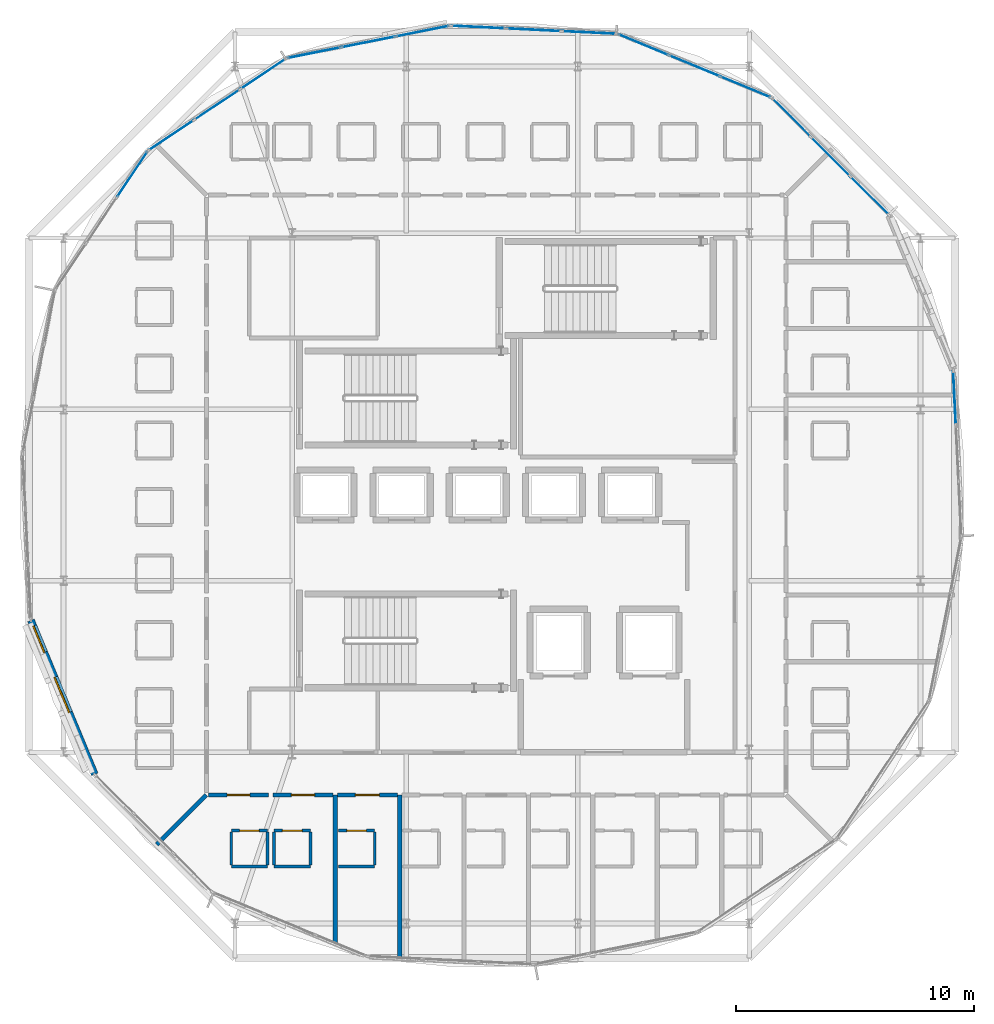
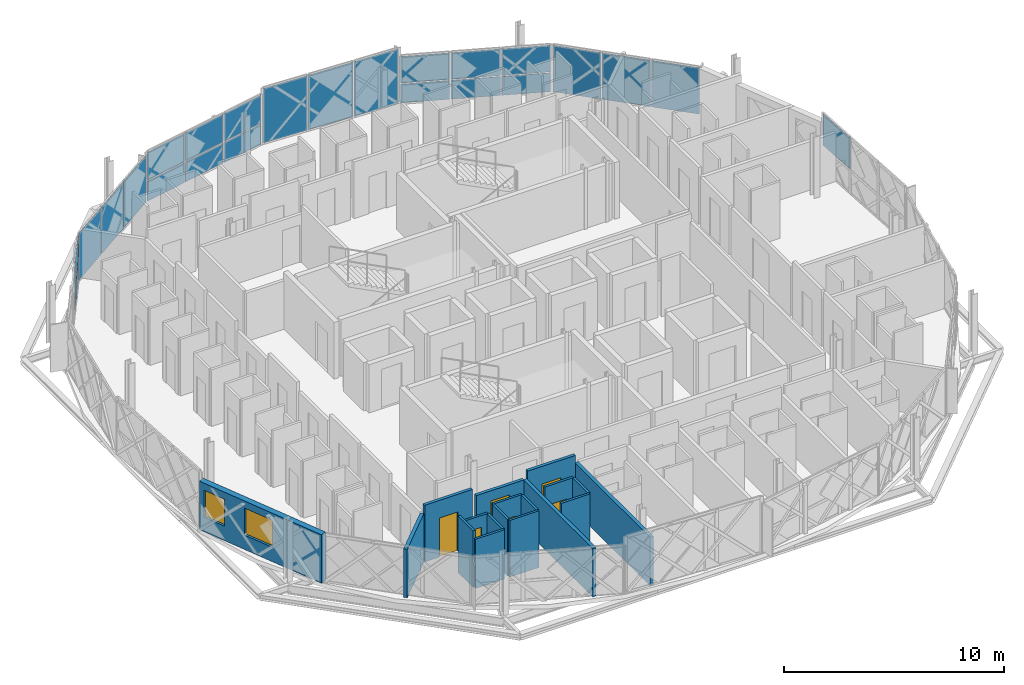
# One storey, part 12 of 24: 24 plates, 18 walls, 6 doors, 2 windows, 8 openings, 7 elements without a shape of their own.
"""IFC4 building model written with IfcOpenShell, lengths in metres."""

from ifc_helpers import new_model, si_unit, direction, frame, frame_2d, origin, origin_2d, place, context, subcontext, project, spatial, rectangle, extrude, material, layer, layer_set, type_object, element, fill, aggregate, save


model = new_model("IFC4")

# Units and contexts
model_context = context("Model", 3, precision=1e-05, world=origin(), true_north=direction((0.0, 1.0)))
body_context = subcontext(model_context, "Body", "Model", "MODEL_VIEW")
ifc_project = project(units=[si_unit("LENGTHUNIT", "METRE"), si_unit("AREAUNIT", "SQUARE_METRE"), si_unit("VOLUMEUNIT", "CUBIC_METRE"), si_unit("PLANEANGLEUNIT", "RADIAN"), si_unit("MASSUNIT", "GRAM", prefix="KILO")], contexts=[model_context])

# Site, building, storey
site_placement = place(None, origin())
site = spatial("IfcSite", under=ifc_project, at=site_placement, CompositionType="ELEMENT")
building_placement = place(site_placement, origin())
building = spatial("IfcBuilding", under=site, at=building_placement, Name="Zevrakil Square Congress Hotel", CompositionType="ELEMENT")
storey_placement = place(building_placement, frame((0.0, 0.0, 38.5)))
storey = spatial("IfcBuildingStorey", under=building, at=storey_placement, Name="L11", CompositionType="ELEMENT", Elevation=38.5)

# Curtain wall, plate
ifc_material_1 = material(Name="Aluminium Anodised Bronze", Category="aluminium")
ifc_layer_1 = layer(ifc_material_1, 0.179931640625)
ifc_layer_set_1 = layer_set([ifc_layer_1], Name="Aluminium Anodised Bronze")
curtain_wall_type = type_object("IfcCurtainWallType", Name="CW-L11-720", PredefinedType="USERDEFINED", material=ifc_layer_set_1)
curtain_wall_1_placement = place(storey_placement, origin())
curtain_wall_1 = element("IfcCurtainWall", 1, at=curtain_wall_1_placement, inside=storey, type_object=curtain_wall_type, Name="L11 diamond curtain wall CW-L11-0291", ObjectType="GLAZED CURTAIN WALL", PredefinedType="USERDEFINED")
ifc_material_2 = material(Name="Low-E Solar Control Double Glazing", Category="glass")
ifc_layer_2 = layer(ifc_material_2, 0.028076171875)
ifc_layer_set_2 = layer_set([ifc_layer_2], Name="Low-E Solar Control Double Glazing")
plate_type_1 = type_object("IfcPlateType", Name="CWP-GLAZ-28", PredefinedType="CURTAIN_PANEL", material=ifc_layer_set_2)
plate_1_placement = place(storey_placement, frame((161.0537109375, 40.172607421875, 0.06005859375), z_axis=(0.0, 0.0, 1.0), x_axis=(-0.707106781187, 0.707106781187, 0.0)))
plate_1 = element("IfcPlate", 2, at=plate_1_placement, type_object=plate_type_1, Name="CW-130 panel 1.1", PredefinedType="CURTAIN_PANEL", context=body_context, shape_type="SweptSolid", body=[
    extrude(rectangle(XDim=2.2451171875, YDim=0.028076171875, at=origin_2d()), origin(), (0.0, 0.0, 1.0), 2.574951171875),
])

# Curtain wall, plates
curtain_wall_2_placement = place(storey_placement, origin())
curtain_wall_2 = element("IfcCurtainWall", 3, at=curtain_wall_2_placement, inside=storey, type_object=curtain_wall_type, Name="L11 diamond curtain wall CW-L11-0292", ObjectType="GLAZED CURTAIN WALL", PredefinedType="USERDEFINED")
plate_2_placement = place(storey_placement, frame((153.699951171875, 45.630615234375, 0.06005859375), z_axis=(0.0, 0.0, 1.0), x_axis=(-0.92387939537, 0.382683763454, 0.0)))
plate_2 = element("IfcPlate", 4, at=plate_2_placement, type_object=plate_type_1, Name="CW-130 panel 2.1", PredefinedType="CURTAIN_PANEL", context=body_context, shape_type="SweptSolid", body=[
    extrude(rectangle(XDim=2.275146484375, YDim=0.028076171875, at=origin_2d()), origin(), (0.0, 0.0, 1.0), 1.0419921875),
])
plate_3_placement = place(storey_placement, frame((151.556396484375, 46.518310546875, 0.06005859375), z_axis=(0.0, 0.0, 1.0), x_axis=(-0.92387939537, 0.382683763454, 0.0)))
plate_3 = element("IfcPlate", 5, at=plate_3_placement, type_object=plate_type_1, Name="CW-130 panel 3.1", PredefinedType="CURTAIN_PANEL", context=body_context, shape_type="SweptSolid", body=[
    extrude(rectangle(XDim=2.245361328125, YDim=0.028076171875, at=origin_2d()), origin(), (0.0, 0.0, 1.0), 1.0419921875),
])

# Curtain wall, plate
curtain_wall_3_placement = place(storey_placement, origin())
curtain_wall_3 = element("IfcCurtainWall", 6, at=curtain_wall_3_placement, inside=storey, type_object=curtain_wall_type, Name="L11 diamond curtain wall CW-L11-0293", ObjectType="GLAZED CURTAIN WALL", PredefinedType="USERDEFINED")
plate_4_placement = place(storey_placement, frame((146.951416015625, 47.1435546875, 0.06005859375), z_axis=(0.0, 0.0, 1.0), x_axis=(-0.998796196761, 0.04905259764, 0.0)))
plate_4 = element("IfcPlate", 7, at=plate_4_placement, type_object=plate_type_1, Name="CW-130 panel 2.1", PredefinedType="CURTAIN_PANEL", context=body_context, shape_type="SweptSolid", body=[
    extrude(rectangle(XDim=2.284423828125, YDim=0.028076171875, at=origin_2d()), origin(), (0.0, 0.0, 1.0), 3.030029296875),
])

# Curtain wall, plates
curtain_wall_4_placement = place(storey_placement, origin())
curtain_wall_4 = element("IfcCurtainWall", 8, at=curtain_wall_4_placement, inside=storey, type_object=curtain_wall_type, Name="L11 diamond curtain wall CW-L11-0294", ObjectType="GLAZED CURTAIN WALL", PredefinedType="USERDEFINED")
plate_5_placement = place(storey_placement, frame((142.279052734375, 47.085205078125, 0.06005859375), z_axis=(0.0, 0.0, 1.0), x_axis=(-0.980786557708, -0.195083900459, 0.0)))
plate_5 = element("IfcPlate", 9, at=plate_5_placement, type_object=plate_type_1, Name="CW-130 panel 1.1", PredefinedType="CURTAIN_PANEL", context=body_context, shape_type="SweptSolid", body=[
    extrude(rectangle(XDim=2.2451171875, YDim=0.028076171875, at=origin_2d()), origin(), (0.0, 0.0, 1.0), 1.1005859375),
])
plate_6_placement = place(storey_placement, frame((140.00341796875, 46.632568359375, 0.06005859375), z_axis=(0.0, 0.0, 1.0), x_axis=(-0.980786557708, -0.195083900459, 0.0)))
plate_6 = element("IfcPlate", 10, at=plate_6_placement, type_object=plate_type_1, Name="CW-130 panel 2.1", PredefinedType="CURTAIN_PANEL", context=body_context, shape_type="SweptSolid", body=[
    extrude(rectangle(XDim=2.275146484375, YDim=0.028076171875, at=origin_2d()), origin(), (0.0, 0.0, 1.0), 1.1005859375),
])
plate_7_placement = place(storey_placement, frame((137.727783203125, 46.179931640625, 1.220703125), z_axis=(0.0, 0.0, 1.0), x_axis=(-0.980786557708, -0.195083900459, 0.0)))
plate_7 = element("IfcPlate", 11, at=plate_7_placement, type_object=plate_type_1, Name="CW-130 panel 3.2", PredefinedType="CURTAIN_PANEL", context=body_context, shape_type="SweptSolid", body=[
    extrude(rectangle(XDim=2.2451171875, YDim=0.028076171875, at=origin_2d()), origin(), (0.0, 0.0, 1.0), 1.55419921875),
])

# Curtain wall, plate
curtain_wall_5_placement = place(storey_placement, origin())
curtain_wall_5 = element("IfcCurtainWall", 12, at=curtain_wall_5_placement, inside=storey, type_object=curtain_wall_type, Name="L11 diamond curtain wall CW-L11-0295", ObjectType="GLAZED CURTAIN WALL", PredefinedType="USERDEFINED")
plate_8_placement = place(storey_placement, frame((133.655517578125, 44.003173828125, 0.06005859375), z_axis=(0.0, 0.0, 1.0), x_axis=(-0.831465693332, -0.555576098128, 0.0)))
plate_8 = element("IfcPlate", 13, at=plate_8_placement, type_object=plate_type_1, Name="CW-130 panel 2.1", PredefinedType="CURTAIN_PANEL", context=body_context, shape_type="SweptSolid", body=[
    extrude(rectangle(XDim=2.275146484375, YDim=0.028076171875, at=origin_2d()), origin(), (0.0, 0.0, 1.0), 2.574951171875),
])

curtain_wall_6_placement = place(storey_placement, origin())
curtain_wall_6 = element("IfcCurtainWall", 14, at=curtain_wall_6_placement, inside=storey, type_object=curtain_wall_type, Name="L11 diamond curtain wall CW-L11-0296", ObjectType="GLAZED CURTAIN WALL", PredefinedType="USERDEFINED")
plate_9_placement = place(storey_placement, frame((130.0859375, 41.07373046875, 0.06005859375), z_axis=(0.0, 0.0, 1.0), x_axis=(-0.555576098128, -0.831465693332, 0.0)))
plate_9 = element("IfcPlate", 15, at=plate_9_placement, type_object=plate_type_1, Name="CW-130 panel 1.1", PredefinedType="CURTAIN_PANEL", context=body_context, shape_type="SweptSolid", body=[
    extrude(rectangle(XDim=2.2451171875, YDim=0.028076171875, at=origin_2d()), origin(), (0.0, 0.0, 1.0), 1.0419921875),
])

# Plate
ifc_material_3 = material(Name="Basalt Grey Ribbed GRC Panel", Category="masonry")
ifc_layer_3 = layer(ifc_material_3, 0.0439453125)
ifc_layer_set_3 = layer_set([ifc_layer_3], Name="Basalt Grey Ribbed GRC Panel")
plate_type_2 = type_object("IfcPlateType", Name="CWP-GRCG-44", PredefinedType="CURTAIN_PANEL", material=ifc_layer_set_3)
plate_10_placement = place(storey_placement, frame((157.7724609375, 43.453857421875, 0.06005859375), z_axis=(0.0, 0.0, 1.0), x_axis=(-0.707106781187, 0.707106781187, 0.0)))
plate_10 = element("IfcPlate", 16, at=plate_10_placement, type_object=plate_type_2, Name="CW-130 panel 3.1", PredefinedType="CURTAIN_PANEL", context=body_context, shape_type="SweptSolid", body=[
    extrude(rectangle(XDim=2.2451171875, YDim=0.028076171875, at=origin_2d()), origin(), (0.0, 0.0, 1.0), 2.574951171875),
])

plate_11_placement = place(storey_placement, frame((155.84375, 44.74267578125, 1.161865234375), z_axis=(0.0, 0.0, 1.0), x_axis=(-0.92387939537, 0.382683763454, 0.0)))
plate_11 = element("IfcPlate", 17, at=plate_11_placement, type_object=plate_type_2, Name="CW-130 panel 1.2", PredefinedType="CURTAIN_PANEL", context=body_context, shape_type="SweptSolid", body=[
    extrude(rectangle(XDim=2.245361328125, YDim=0.028076171875, at=origin_2d()), origin(), (0.0, 0.0, 1.0), 1.47314453125),
])

plate_12_placement = place(storey_placement, frame((149.278076171875, 47.029296875, 0.06005859375), z_axis=(0.0, 0.0, 1.0), x_axis=(-0.998796196761, 0.04905259764, 0.0)))
plate_12 = element("IfcPlate", 18, at=plate_12_placement, type_object=plate_type_2, Name="CW-130 panel 1.1", PredefinedType="CURTAIN_PANEL", context=body_context, shape_type="SweptSolid", body=[
    extrude(rectangle(XDim=2.25439453125, YDim=0.028076171875, at=origin_2d()), origin(), (0.0, 0.0, 1.0), 3.030029296875),
])

plate_13_placement = place(storey_placement, frame((137.727783203125, 46.179931640625, 0.06005859375), z_axis=(0.0, 0.0, 1.0), x_axis=(-0.980786557708, -0.195083900459, 0.0)))
plate_13 = element("IfcPlate", 19, at=plate_13_placement, type_object=plate_type_2, Name="CW-130 panel 3.1", PredefinedType="CURTAIN_PANEL", context=body_context, shape_type="SweptSolid", body=[
    extrude(rectangle(XDim=2.2451171875, YDim=0.028076171875, at=origin_2d()), origin(), (0.0, 0.0, 1.0), 1.1005859375),
])

# Curtain wall, plate
curtain_wall_7_placement = place(storey_placement, origin())
curtain_wall_7 = element("IfcCurtainWall", 20, at=curtain_wall_7_placement, inside=storey, type_object=curtain_wall_type, Name="L11 diamond curtain wall CW-L11-0290", ObjectType="GLAZED CURTAIN WALL", PredefinedType="USERDEFINED")
ifc_material_4 = material(Name="White Ribbed Highland GRC Panel", Category="concrete")
ifc_layer_4 = layer(ifc_material_4, 0.0400390625)
ifc_layer_set_4 = layer_set([ifc_layer_4], Name="White Ribbed Highland GRC Panel")
plate_type_3 = type_object("IfcPlateType", Name="CWP-GRCW-40", PredefinedType="CURTAIN_PANEL", material=ifc_layer_set_4)
plate_14_placement = place(storey_placement, frame((164.629150390625, 31.677978515625, 1.35302734375), z_axis=(0.0, 0.0, 1.0), x_axis=(-0.04905259764, 0.998796196761, 0.0)))
plate_14 = element("IfcPlate", 21, at=plate_14_placement, type_object=plate_type_3, Name="CW-130 panel 3.2", PredefinedType="CURTAIN_PANEL", context=body_context, shape_type="SweptSolid", body=[
    extrude(rectangle(XDim=2.25439453125, YDim=0.028076171875, at=origin_2d()), origin(), (0.0, 0.0, 1.0), 1.737060546875),
])
aggregate(curtain_wall_7, [plate_14])

# Plate
plate_15_placement = place(storey_placement, frame((159.4130859375, 41.813232421875, 0.06005859375), z_axis=(0.0, 0.0, 1.0), x_axis=(-0.707106781187, 0.707106781187, 0.0)))
plate_15 = element("IfcPlate", 22, at=plate_15_placement, type_object=plate_type_3, Name="CW-130 panel 2.1", PredefinedType="CURTAIN_PANEL", context=body_context, shape_type="SweptSolid", body=[
    extrude(rectangle(XDim=2.275146484375, YDim=0.028076171875, at=origin_2d()), origin(), (0.0, 0.0, 1.0), 2.574951171875),
])

aggregate(curtain_wall_1, [plate_1, plate_15, plate_10])

plate_16_placement = place(storey_placement, frame((155.84375, 44.74267578125, 0.06005859375), z_axis=(0.0, 0.0, 1.0), x_axis=(-0.92387939537, 0.382683763454, 0.0)))
plate_16 = element("IfcPlate", 23, at=plate_16_placement, type_object=plate_type_3, Name="CW-130 panel 1.1", PredefinedType="CURTAIN_PANEL", context=body_context, shape_type="SweptSolid", body=[
    extrude(rectangle(XDim=2.245361328125, YDim=0.028076171875, at=origin_2d()), origin(), (0.0, 0.0, 1.0), 1.0419921875),
])

plate_17_placement = place(storey_placement, frame((153.699951171875, 45.630615234375, 1.161865234375), z_axis=(0.0, 0.0, 1.0), x_axis=(-0.92387939537, 0.382683763454, 0.0)))
plate_17 = element("IfcPlate", 24, at=plate_17_placement, type_object=plate_type_3, Name="CW-130 panel 2.2", PredefinedType="CURTAIN_PANEL", context=body_context, shape_type="SweptSolid", body=[
    extrude(rectangle(XDim=2.275146484375, YDim=0.028076171875, at=origin_2d()), origin(), (0.0, 0.0, 1.0), 1.47314453125),
])

plate_18_placement = place(storey_placement, frame((151.556396484375, 46.518310546875, 1.161865234375), z_axis=(0.0, 0.0, 1.0), x_axis=(-0.92387939537, 0.382683763454, 0.0)))
plate_18 = element("IfcPlate", 25, at=plate_18_placement, type_object=plate_type_3, Name="CW-130 panel 3.2", PredefinedType="CURTAIN_PANEL", context=body_context, shape_type="SweptSolid", body=[
    extrude(rectangle(XDim=2.245361328125, YDim=0.028076171875, at=origin_2d()), origin(), (0.0, 0.0, 1.0), 1.47314453125),
])

aggregate(curtain_wall_2, [plate_16, plate_11, plate_2, plate_17, plate_3, plate_18])

plate_19_placement = place(storey_placement, frame((144.624755859375, 47.2578125, 0.06005859375), z_axis=(0.0, 0.0, 1.0), x_axis=(-0.998796196761, 0.04905259764, 0.0)))
plate_19 = element("IfcPlate", 26, at=plate_19_placement, type_object=plate_type_3, Name="CW-130 panel 3.1", PredefinedType="CURTAIN_PANEL", context=body_context, shape_type="SweptSolid", body=[
    extrude(rectangle(XDim=2.25439453125, YDim=0.028076171875, at=origin_2d()), origin(), (0.0, 0.0, 1.0), 3.030029296875),
])

aggregate(curtain_wall_3, [plate_12, plate_4, plate_19])

plate_20_placement = place(storey_placement, frame((142.279052734375, 47.085205078125, 1.220703125), z_axis=(0.0, 0.0, 1.0), x_axis=(-0.980786557708, -0.195083900459, 0.0)))
plate_20 = element("IfcPlate", 27, at=plate_20_placement, type_object=plate_type_3, Name="CW-130 panel 1.2", PredefinedType="CURTAIN_PANEL", context=body_context, shape_type="SweptSolid", body=[
    extrude(rectangle(XDim=2.2451171875, YDim=0.028076171875, at=origin_2d()), origin(), (0.0, 0.0, 1.0), 1.55419921875),
])

plate_21_placement = place(storey_placement, frame((140.00341796875, 46.632568359375, 1.220703125), z_axis=(0.0, 0.0, 1.0), x_axis=(-0.980786557708, -0.195083900459, 0.0)))
plate_21 = element("IfcPlate", 28, at=plate_21_placement, type_object=plate_type_3, Name="CW-130 panel 2.2", PredefinedType="CURTAIN_PANEL", context=body_context, shape_type="SweptSolid", body=[
    extrude(rectangle(XDim=2.275146484375, YDim=0.028076171875, at=origin_2d()), origin(), (0.0, 0.0, 1.0), 1.55419921875),
])

aggregate(curtain_wall_4, [plate_5, plate_20, plate_6, plate_21, plate_13, plate_7])

plate_22_placement = place(storey_placement, frame((135.58447265625, 45.292236328125, 0.06005859375), z_axis=(0.0, 0.0, 1.0), x_axis=(-0.831465693332, -0.555576098128, 0.0)))
plate_22 = element("IfcPlate", 29, at=plate_22_placement, type_object=plate_type_3, Name="CW-130 panel 1.1", PredefinedType="CURTAIN_PANEL", context=body_context, shape_type="SweptSolid", body=[
    extrude(rectangle(XDim=2.2451171875, YDim=0.028076171875, at=origin_2d()), origin(), (0.0, 0.0, 1.0), 2.574951171875),
])

plate_23_placement = place(storey_placement, frame((131.726318359375, 42.714111328125, 0.06005859375), z_axis=(0.0, 0.0, 1.0), x_axis=(-0.831465693332, -0.555576098128, 0.0)))
plate_23 = element("IfcPlate", 30, at=plate_23_placement, type_object=plate_type_3, Name="CW-130 panel 3.1", PredefinedType="CURTAIN_PANEL", context=body_context, shape_type="SweptSolid", body=[
    extrude(rectangle(XDim=2.2451171875, YDim=0.028076171875, at=origin_2d()), origin(), (0.0, 0.0, 1.0), 2.574951171875),
])

aggregate(curtain_wall_5, [plate_22, plate_8, plate_23])

plate_24_placement = place(storey_placement, frame((130.0859375, 41.07373046875, 1.161865234375), z_axis=(0.0, 0.0, 1.0), x_axis=(-0.555576098128, -0.831465693332, 0.0)))
plate_24 = element("IfcPlate", 31, at=plate_24_placement, type_object=plate_type_3, Name="CW-130 panel 1.2", PredefinedType="CURTAIN_PANEL", context=body_context, shape_type="SweptSolid", body=[
    extrude(rectangle(XDim=2.2451171875, YDim=0.028076171875, at=origin_2d()), origin(), (0.0, 0.0, 1.0), 1.47314453125),
])

aggregate(curtain_wall_6, [plate_9, plate_24])

# Wall, opening, door
ifc_material_5 = material(Name="Gypsum Acoustic Stud Partition")
ifc_layer_5 = layer(ifc_material_5, 0.159912109375)
ifc_layer_set_5 = layer_set([ifc_layer_5], Name="Gypsum Acoustic Stud Partition")
wall_type_1 = type_object("IfcWallType", Name="WAL-CORR-160", PredefinedType="PARTITIONING", material=ifc_layer_set_5)
wall_1_placement = place(storey_placement, frame((133.294921875, 15.0, 0.0), z_axis=(0.0, 0.0, 1.0), x_axis=(1.0, 0.0, 0.0)))
wall_1 = element("IfcWall", 32, at=wall_1_placement, inside=storey, type_object=wall_type_1, Name="L11 interior partition PW-L11-1799", PredefinedType="PARTITIONING", context=body_context, shape_type="SweptSolid", body=[
    extrude(rectangle(XDim=2.515625, YDim=0.159912109375, at=frame_2d((1.2578125, 0.0))), origin(), (0.0, 0.0, 1.0), 3.14990234375),
])
opening_1_placement = place(wall_1_placement, frame((0.7802734375, 0.0, 0.0)))
opening_1 = element("IfcOpeningElement", 33, at=opening_1_placement, cuts=wall_1, Name="Opening ID-G25", PredefinedType="OPENING", context=body_context, shape_type="SweptSolid", body=[
    extrude(rectangle(XDim=0.955078125, YDim=2.169921875, at=frame_2d((0.4775390625, 1.0849609375))), frame((0.0, 0.08984375, 0.0), z_axis=(0.0, -1.0, 0.0), x_axis=(1.0, 0.0, 0.0)), (0.0, 0.0, 1.0), 0.179931640625),
])
ifc_material_6 = material(Name="Acoustic Timber Fire Door", Category="wood")
door_type_1 = type_object("IfcDoorType", Name="DOR-INT-G25", OperationType="NOTDEFINED", PredefinedType="DOOR", material=ifc_material_6)
door_1_placement = place(opening_1_placement, origin())
door_1 = element("IfcDoor", 34, at=door_1_placement, inside=storey, type_object=door_type_1, Name="L11 interior door 698", OperationType="SINGLE_SWING_RIGHT", OverallHeight=2.169921875, OverallWidth=0.955078125, PredefinedType="DOOR", context=body_context, shape_type="SweptSolid", body=[
    extrude(rectangle(XDim=0.955078125, YDim=2.169921875, at=frame_2d((0.4775390625, 1.0849609375))), frame((0.0, 0.02490234375, 0.0), z_axis=(0.0, -1.0, 0.0), x_axis=(1.0, 0.0, 0.0)), (0.0, 0.0, 1.0), 0.050048828125),
])
fill(opening_1, door_1)

wall_2_placement = place(storey_placement, frame((136.00048828125, 15.0, 0.0), z_axis=(0.0, 0.0, 1.0), x_axis=(1.0, 0.0, 0.0)))
wall_2 = element("IfcWall", 35, at=wall_2_placement, inside=storey, type_object=wall_type_1, Name="L11 interior partition PW-L11-1805", PredefinedType="PARTITIONING", context=body_context, shape_type="SweptSolid", body=[
    extrude(rectangle(XDim=2.515625, YDim=0.159912109375, at=frame_2d((1.2578125, 0.0))), origin(), (0.0, 0.0, 1.0), 2.735107421875),
])
opening_2_placement = place(wall_2_placement, frame((0.767822265625, 0.0, 0.0)))
opening_2 = element("IfcOpeningElement", 36, at=opening_2_placement, cuts=wall_2, Name="Opening ID-G26", PredefinedType="OPENING", context=body_context, shape_type="SweptSolid", body=[
    extrude(rectangle(XDim=0.97998046875, YDim=2.169921875, at=frame_2d((0.489990234375, 1.0849609375))), frame((0.0, 0.08984375, 0.0), z_axis=(0.0, -1.0, 0.0), x_axis=(1.0, 0.0, 0.0)), (0.0, 0.0, 1.0), 0.179931640625),
])
ifc_material_7 = material(Name="Acoustic Timber Fire Door", Category="wood")
door_type_2 = type_object("IfcDoorType", Name="DOR-INT-G26", OperationType="NOTDEFINED", PredefinedType="DOOR", material=ifc_material_7)
door_2_placement = place(opening_2_placement, origin())
door_2 = element("IfcDoor", 37, at=door_2_placement, inside=storey, type_object=door_type_2, Name="L11 interior door 700", OperationType="SINGLE_SWING_RIGHT", OverallHeight=2.169921875, OverallWidth=0.97998046875, PredefinedType="DOOR", context=body_context, shape_type="SweptSolid", body=[
    extrude(rectangle(XDim=0.97998046875, YDim=2.169921875, at=frame_2d((0.489990234375, 1.0849609375))), frame((0.0, 0.02490234375, 0.0), z_axis=(0.0, -1.0, 0.0), x_axis=(1.0, 0.0, 0.0)), (0.0, 0.0, 1.0), 0.050048828125),
])
fill(opening_2, door_2)

wall_3_placement = place(storey_placement, frame((138.7060546875, 15.0, 0.0), z_axis=(0.0, 0.0, 1.0), x_axis=(1.0, 0.0, 0.0)))
wall_3 = element("IfcWall", 38, at=wall_3_placement, inside=storey, type_object=wall_type_1, Name="L11 interior partition PW-L11-1811", PredefinedType="PARTITIONING", context=body_context, shape_type="SweptSolid", body=[
    extrude(rectangle(XDim=2.515625, YDim=0.159912109375, at=frame_2d((1.2578125, 0.0))), origin(), (0.0, 0.0, 1.0), 3.14990234375),
])
opening_3_placement = place(wall_3_placement, frame((0.75537109375, 0.0, 0.0)))
opening_3 = element("IfcOpeningElement", 39, at=opening_3_placement, cuts=wall_3, Name="Opening ID-G27", PredefinedType="OPENING", context=body_context, shape_type="SweptSolid", body=[
    extrude(rectangle(XDim=1.0048828125, YDim=2.169921875, at=frame_2d((0.50244140625, 1.0849609375))), frame((0.0, 0.08984375, 0.0), z_axis=(0.0, -1.0, 0.0), x_axis=(1.0, 0.0, 0.0)), (0.0, 0.0, 1.0), 0.179931640625),
])
ifc_material_8 = material(Name="Acoustic Timber Fire Door", Category="wood")
door_type_3 = type_object("IfcDoorType", Name="DOR-INT-G27", OperationType="NOTDEFINED", PredefinedType="DOOR", material=ifc_material_8)
door_3_placement = place(opening_3_placement, origin())
door_3 = element("IfcDoor", 40, at=door_3_placement, inside=storey, type_object=door_type_3, Name="L11 interior door 702", OperationType="SINGLE_SWING_RIGHT", OverallHeight=2.169921875, OverallWidth=1.0048828125, PredefinedType="DOOR", context=body_context, shape_type="SweptSolid", body=[
    extrude(rectangle(XDim=1.0048828125, YDim=2.169921875, at=frame_2d((0.50244140625, 1.0849609375))), frame((0.0, 0.02490234375, 0.0), z_axis=(0.0, -1.0, 0.0), x_axis=(1.0, 0.0, 0.0)), (0.0, 0.0, 1.0), 0.050048828125),
])
fill(opening_3, door_3)

# Wall
ifc_material_9 = material(Name="Moisture-Resistant Gypsum Partition")
ifc_layer_6 = layer(ifc_material_9, 0.1201171875)
ifc_layer_set_6 = layer_set([ifc_layer_6], Name="Moisture-Resistant Gypsum Partition")
wall_type_2 = type_object("IfcWallType", Name="WAL-ENS-120", PredefinedType="PARTITIONING", material=ifc_layer_set_6)
wall_4_placement = place(storey_placement, frame((134.24560546875, 12.0, 0.0), z_axis=(0.0, 0.0, 1.0), x_axis=(1.0, 0.0, 0.0)))
element("IfcWall", 41, at=wall_4_placement, inside=storey, type_object=wall_type_2, Name="L11 interior partition PW-L11-1800", PredefinedType="PARTITIONING", context=body_context, shape_type="SweptSolid", body=[
    extrude(rectangle(XDim=1.52001953125, YDim=0.1201171875, at=frame_2d((0.760009765625, 0.0))), origin(), (0.0, 0.0, 1.0), 2.735107421875),
])

# Wall, opening, door
wall_5_placement = place(storey_placement, frame((134.24560546875, 13.5, 0.0), z_axis=(0.0, 0.0, 1.0), x_axis=(1.0, 0.0, 0.0)))
wall_5 = element("IfcWall", 42, at=wall_5_placement, inside=storey, type_object=wall_type_2, Name="L11 interior partition PW-L11-1801", PredefinedType="PARTITIONING", context=body_context, shape_type="SweptSolid", body=[
    extrude(rectangle(XDim=1.52001953125, YDim=0.1201171875, at=frame_2d((0.760009765625, 0.0))), origin(), (0.0, 0.0, 1.0), 2.735107421875),
])
opening_4_placement = place(wall_5_placement, frame((0.35009765625, 0.0, 0.0)))
opening_4 = element("IfcOpeningElement", 43, at=opening_4_placement, cuts=wall_5, Name="Opening ID-11", PredefinedType="OPENING", context=body_context, shape_type="SweptSolid", body=[
    extrude(rectangle(XDim=0.820068359375, YDim=2.080078125, at=frame_2d((0.41015625, 1.0400390625))), frame((0.0, 0.070068359375, 0.0), z_axis=(0.0, -1.0, 0.0), x_axis=(1.0, 0.0, 0.0)), (0.0, 0.0, 1.0), 0.14013671875),
])
ifc_material_10 = material(Name="Acoustic Timber Door", Category="wood")
door_type_4 = type_object("IfcDoorType", Name="DOR-INT-V01", OperationType="NOTDEFINED", PredefinedType="DOOR", material=ifc_material_10)
door_4_placement = place(opening_4_placement, origin())
door_4 = element("IfcDoor", 44, at=door_4_placement, inside=storey, type_object=door_type_4, Name="L11 interior door 699", OperationType="SINGLE_SWING_LEFT", OverallHeight=2.080078125, OverallWidth=0.820068359375, PredefinedType="DOOR", context=body_context, shape_type="SweptSolid", body=[
    extrude(rectangle(XDim=0.820068359375, YDim=2.080078125, at=frame_2d((0.41015625, 1.0400390625))), frame((0.0, 0.02490234375, 0.0), z_axis=(0.0, -1.0, 0.0), x_axis=(1.0, 0.0, 0.0)), (0.0, 0.0, 1.0), 0.050048828125),
])
fill(opening_4, door_4)

# Walls
wall_6_placement = place(storey_placement, frame((134.24560546875, 12.06494140625, 0.0), z_axis=(0.0, 0.0, 1.0), x_axis=(0.0, 1.0, 0.0)))
element("IfcWall", 45, at=wall_6_placement, inside=storey, type_object=wall_type_2, Name="L11 interior partition PW-L11-1802", PredefinedType="PARTITIONING", context=body_context, shape_type="SweptSolid", body=[
    extrude(rectangle(XDim=1.3701171875, YDim=0.1201171875, at=frame_2d((0.68505859375, 0.0))), origin(), (0.0, 0.0, 1.0), 3.14990234375),
])
wall_7_placement = place(storey_placement, frame((135.765625, 12.06494140625, 0.0), z_axis=(0.0, 0.0, 1.0), x_axis=(0.0, 1.0, 0.0)))
element("IfcWall", 46, at=wall_7_placement, inside=storey, type_object=wall_type_2, Name="L11 interior partition PW-L11-1803", PredefinedType="PARTITIONING", context=body_context, shape_type="SweptSolid", body=[
    extrude(rectangle(XDim=1.3701171875, YDim=0.1201171875, at=frame_2d((0.68505859375, 0.0))), origin(), (0.0, 0.0, 1.0), 2.735107421875),
])
wall_8_placement = place(storey_placement, frame((136.045654296875, 12.0, 0.0), z_axis=(0.0, 0.0, 1.0), x_axis=(1.0, 0.0, 0.0)))
element("IfcWall", 47, at=wall_8_placement, inside=storey, type_object=wall_type_2, Name="L11 interior partition PW-L11-1806", PredefinedType="PARTITIONING", context=body_context, shape_type="SweptSolid", body=[
    extrude(rectangle(XDim=1.52001953125, YDim=0.1201171875, at=frame_2d((0.760009765625, 0.0))), origin(), (0.0, 0.0, 1.0), 3.14990234375),
])

# Wall, opening, door
wall_9_placement = place(storey_placement, frame((136.045654296875, 13.5, 0.0), z_axis=(0.0, 0.0, 1.0), x_axis=(1.0, 0.0, 0.0)))
wall_9 = element("IfcWall", 48, at=wall_9_placement, inside=storey, type_object=wall_type_2, Name="L11 interior partition PW-L11-1807", PredefinedType="PARTITIONING", context=body_context, shape_type="SweptSolid", body=[
    extrude(rectangle(XDim=1.52001953125, YDim=0.1201171875, at=frame_2d((0.760009765625, 0.0))), origin(), (0.0, 0.0, 1.0), 3.14990234375),
])
opening_5_placement = place(wall_9_placement, frame((0.35009765625, 0.0, 0.0)))
opening_5 = element("IfcOpeningElement", 49, at=opening_5_placement, cuts=wall_9, Name="Opening ID-11", PredefinedType="OPENING", context=body_context, shape_type="SweptSolid", body=[
    extrude(rectangle(XDim=0.820068359375, YDim=2.080078125, at=frame_2d((0.41015625, 1.0400390625))), frame((0.0, 0.070068359375, 0.0), z_axis=(0.0, -1.0, 0.0), x_axis=(1.0, 0.0, 0.0)), (0.0, 0.0, 1.0), 0.14013671875),
])
door_5_placement = place(opening_5_placement, origin())
door_5 = element("IfcDoor", 50, at=door_5_placement, inside=storey, type_object=door_type_4, Name="L11 interior door 701", OperationType="SINGLE_SWING_LEFT", OverallHeight=2.080078125, OverallWidth=0.820068359375, PredefinedType="DOOR", context=body_context, shape_type="SweptSolid", body=[
    extrude(rectangle(XDim=0.820068359375, YDim=2.080078125, at=frame_2d((0.41015625, 1.0400390625))), frame((0.0, 0.02490234375, 0.0), z_axis=(0.0, -1.0, 0.0), x_axis=(1.0, 0.0, 0.0)), (0.0, 0.0, 1.0), 0.050048828125),
])
fill(opening_5, door_5)

# Walls
for number, where, z_axis, x_axis, name in (
    (51, (136.045654296875, 12.06494140625, 0.0), (0.0, 0.0, 1.0), (0.0, 1.0, 0.0), "L11 interior partition PW-L11-1808"),
    (52, (137.565673828125, 12.06494140625, 0.0), (0.0, 0.0, 1.0), (0.0, 1.0, 0.0), "L11 interior partition PW-L11-1809"),
):
    element("IfcWall", number, at=place(storey_placement, frame(where, z_axis=z_axis, x_axis=x_axis)), inside=storey, type_object=wall_type_2, Name=name, PredefinedType="PARTITIONING", context=body_context, shape_type="SweptSolid", body=[
        extrude(rectangle(XDim=1.3701171875, YDim=0.1201171875, at=frame_2d((0.68505859375, 0.0))), origin(), (0.0, 0.0, 1.0), 3.14990234375),
    ])
wall_10_placement = place(storey_placement, frame((138.751220703125, 12.0, 0.0), z_axis=(0.0, 0.0, 1.0), x_axis=(1.0, 0.0, 0.0)))
element("IfcWall", 53, at=wall_10_placement, inside=storey, type_object=wall_type_2, Name="L11 interior partition PW-L11-1812", PredefinedType="PARTITIONING", context=body_context, shape_type="SweptSolid", body=[
    extrude(rectangle(XDim=1.519775390625, YDim=0.1201171875, at=frame_2d((0.759765625, 0.0))), origin(), (0.0, 0.0, 1.0), 3.14990234375),
])

# Wall, opening, door
wall_11_placement = place(storey_placement, frame((138.751220703125, 13.5, 0.0), z_axis=(0.0, 0.0, 1.0), x_axis=(1.0, 0.0, 0.0)))
wall_11 = element("IfcWall", 54, at=wall_11_placement, inside=storey, type_object=wall_type_2, Name="L11 interior partition PW-L11-1813", PredefinedType="PARTITIONING", context=body_context, shape_type="SweptSolid", body=[
    extrude(rectangle(XDim=1.519775390625, YDim=0.1201171875, at=frame_2d((0.759765625, 0.0))), origin(), (0.0, 0.0, 1.0), 3.14990234375),
])
opening_6_placement = place(wall_11_placement, frame((0.35009765625, 0.0, 0.0)))
opening_6 = element("IfcOpeningElement", 55, at=opening_6_placement, cuts=wall_11, Name="Opening ID-11", PredefinedType="OPENING", context=body_context, shape_type="SweptSolid", body=[
    extrude(rectangle(XDim=0.820068359375, YDim=2.080078125, at=frame_2d((0.41015625, 1.0400390625))), frame((0.0, 0.070068359375, 0.0), z_axis=(0.0, -1.0, 0.0), x_axis=(1.0, 0.0, 0.0)), (0.0, 0.0, 1.0), 0.14013671875),
])
door_6_placement = place(opening_6_placement, origin())
door_6 = element("IfcDoor", 56, at=door_6_placement, inside=storey, type_object=door_type_4, Name="L11 interior door 703", OperationType="SINGLE_SWING_LEFT", OverallHeight=2.080078125, OverallWidth=0.820068359375, PredefinedType="DOOR", context=body_context, shape_type="SweptSolid", body=[
    extrude(rectangle(XDim=0.820068359375, YDim=2.080078125, at=frame_2d((0.41015625, 1.0400390625))), frame((0.0, 0.02490234375, 0.0), z_axis=(0.0, -1.0, 0.0), x_axis=(1.0, 0.0, 0.0)), (0.0, 0.0, 1.0), 0.050048828125),
])
fill(opening_6, door_6)

# Wall
wall_12_placement = place(storey_placement, frame((140.27099609375, 12.06494140625, 0.0), z_axis=(0.0, 0.0, 1.0), x_axis=(0.0, 1.0, 0.0)))
element("IfcWall", 57, at=wall_12_placement, inside=storey, type_object=wall_type_2, Name="L11 interior partition PW-L11-1814", PredefinedType="PARTITIONING", context=body_context, shape_type="SweptSolid", body=[
    extrude(rectangle(XDim=1.3701171875, YDim=0.1201171875, at=frame_2d((0.68505859375, 0.0))), origin(), (0.0, 0.0, 1.0), 3.14990234375),
])

# Wall, openings, windows
ifc_material_11 = material(Name="Precast concrete C40/50", Category="concrete")
ifc_layer_7 = layer(ifc_material_11, 0.300048828125)
ifc_layer_set_7 = layer_set([ifc_layer_7], Name="Precast concrete C40/50")
wall_type_3 = type_object("IfcWallType", Name="WAL-EXT-DRM-300", PredefinedType="SOLIDWALL", material=ifc_layer_set_7)
wall_13_placement = place(storey_placement, frame((125.8291015625, 22.336181640625, 0.0), z_axis=(0.0, 0.0, 1.0), x_axis=(0.382677014704, -0.923882190767, 0.0)))
wall_13 = element("IfcWall", 58, at=wall_13_placement, inside=storey, type_object=wall_type_3, Name="L11 exterior GRC wall EW-L11-0137", PredefinedType="SOLIDWALL", context=body_context, shape_type="SweptSolid", body=[
    extrude(rectangle(XDim=7.005615234375, YDim=0.300048828125, at=frame_2d((3.5029296875, 0.0))), origin(), (0.0, 0.0, 1.0), 2.695068359375),
])
opening_7_placement = place(wall_13_placement, frame((0.259521484375, 0.0, 0.800048828125)))
opening_7 = element("IfcOpeningElement", 59, at=opening_7_placement, cuts=wall_13, Name="Opening WN-07", PredefinedType="OPENING", context=body_context, shape_type="SweptSolid", body=[
    extrude(rectangle(XDim=1.199951171875, YDim=1.5, at=frame_2d((0.60009765625, 0.75))), frame((0.0, 0.16015625, 0.0), z_axis=(0.0, -1.0, 0.0), x_axis=(1.0, 0.0, 0.0)), (0.0, 0.0, 1.0), 0.320068359375),
])
opening_8_placement = place(wall_13_placement, frame((2.594482421875, 0.0, 0.800048828125)))
opening_8 = element("IfcOpeningElement", 60, at=opening_8_placement, cuts=wall_13, Name="Opening WN-09", PredefinedType="OPENING", context=body_context, shape_type="SweptSolid", body=[
    extrude(rectangle(XDim=1.60009765625, YDim=1.5, at=frame_2d((0.800048828125, 0.75))), frame((0.0, 0.16015625, 0.0), z_axis=(0.0, -1.0, 0.0), x_axis=(1.0, 0.0, 0.0)), (0.0, 0.0, 1.0), 0.320068359375),
])
ifc_material_12 = material(Name="Low-E Solar Control Double Glazing", Category="glass")
window_type_1 = type_object("IfcWindowType", Name="WIN-EXT-07", PartitioningType="SINGLE_PANEL", PredefinedType="WINDOW", material=ifc_material_12)
window_1_placement = place(opening_7_placement, origin())
window_1 = element("IfcWindow", 61, at=window_1_placement, inside=storey, type_object=window_type_1, Name="L11 hotel guestroom low-E window 118", OverallHeight=1.5, OverallWidth=1.199951171875, PartitioningType="SINGLE_PANEL", PredefinedType="WINDOW", context=body_context, shape_type="SweptSolid", body=[
    extrude(rectangle(XDim=1.199951171875, YDim=1.5, at=frame_2d((0.60009765625, 0.75))), frame((0.0, 0.030029296875, 0.0), z_axis=(0.0, -1.0, 0.0), x_axis=(1.0, 0.0, 0.0)), (0.0, 0.0, 1.0), 0.06005859375),
])
fill(opening_7, window_1)
ifc_material_13 = material(Name="Low-E Solar Control Double Glazing", Category="glass")
window_type_2 = type_object("IfcWindowType", Name="WIN-EXT-09", PartitioningType="SINGLE_PANEL", PredefinedType="WINDOW", material=ifc_material_13)
window_2_placement = place(opening_8_placement, origin())
window_2 = element("IfcWindow", 62, at=window_2_placement, inside=storey, type_object=window_type_2, Name="L11 hotel guestroom low-E window 119", OverallHeight=1.5, OverallWidth=1.60009765625, PartitioningType="SINGLE_PANEL", PredefinedType="WINDOW", context=body_context, shape_type="SweptSolid", body=[
    extrude(rectangle(XDim=1.60009765625, YDim=1.5, at=frame_2d((0.800048828125, 0.75))), frame((0.0, 0.030029296875, 0.0), z_axis=(0.0, -1.0, 0.0), x_axis=(1.0, 0.0, 0.0)), (0.0, 0.0, 1.0), 0.06005859375),
])
fill(opening_8, window_2)

# Walls
ifc_material_14 = material(Name="Gypsum Twin-Stud Party Partition")
ifc_layer_8 = layer(ifc_material_14, 0.179931640625)
ifc_layer_set_8 = layer_set([ifc_layer_8], Name="Gypsum Twin-Stud Party Partition")
wall_type_4 = type_object("IfcWallType", Name="WAL-PARTY-180", PredefinedType="PARTITIONING", material=ifc_layer_set_8)
wall_14_placement = place(storey_placement, frame((133.199951171875, 15.0, 0.0), z_axis=(0.0, 0.0, 1.0), x_axis=(-0.707106781187, -0.707106781187, 0.0)))
element("IfcWall", 63, at=wall_14_placement, inside=storey, type_object=wall_type_4, Name="L11 interior partition PW-L11-1804", PredefinedType="PARTITIONING", context=body_context, shape_type="SweptSolid", body=[
    extrude(rectangle(XDim=2.948486328125, YDim=0.179931640625, at=frame_2d((1.47412109375, 0.0))), origin(), (0.0, 0.0, 1.0), 2.695068359375),
])
wall_15_placement = place(storey_placement, frame((138.611083984375, 8.689453125, 0.0), z_axis=(0.0, 0.0, 1.0), x_axis=(0.0, 1.0, 0.0)))
element("IfcWall", 64, at=wall_15_placement, inside=storey, type_object=wall_type_4, Name="L11 interior partition PW-L11-1810", PredefinedType="PARTITIONING", context=body_context, shape_type="SweptSolid", body=[
    extrude(rectangle(XDim=6.310546875, YDim=0.179931640625, at=frame_2d((3.1552734375, 0.0))), origin(), (0.0, 0.0, 1.0), 2.695068359375),
])
wall_16_placement = place(storey_placement, frame((141.316650390625, 8.1455078125, 0.0), z_axis=(0.0, 0.0, 1.0), x_axis=(0.0, 1.0, 0.0)))
element("IfcWall", 65, at=wall_16_placement, inside=storey, type_object=wall_type_4, Name="L11 interior partition PW-L11-1815", PredefinedType="PARTITIONING", context=body_context, shape_type="SweptSolid", body=[
    extrude(rectangle(XDim=6.8544921875, YDim=0.179931640625, at=frame_2d((3.42724609375, 0.0))), origin(), (0.0, 0.0, 1.0), 2.695068359375),
])

save(model, "model.ifc")
